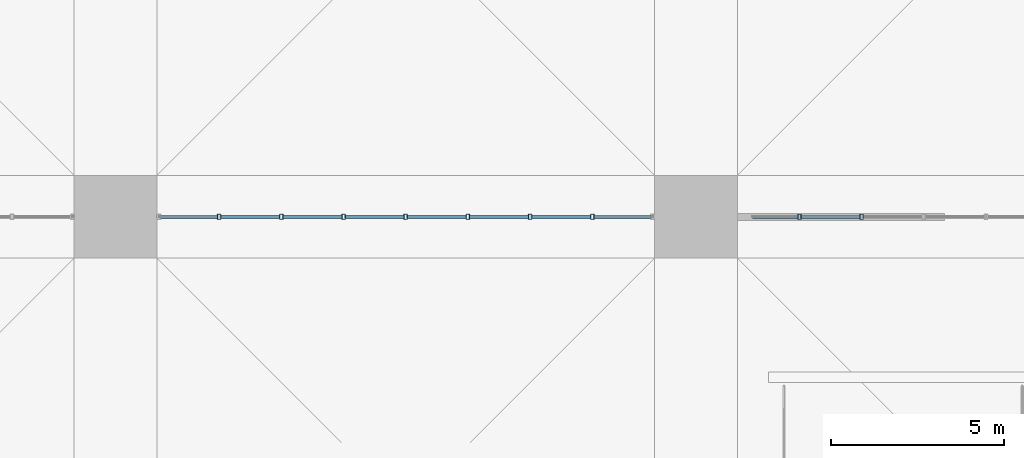
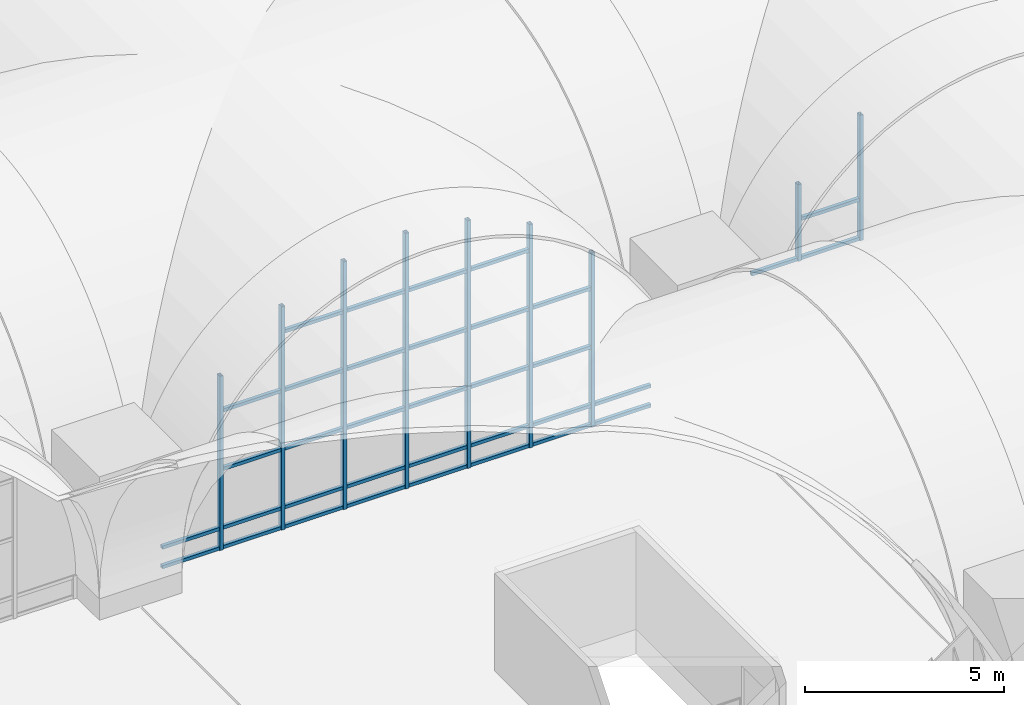
# One storey, part 33 of 169: 44 members, 2 elements without a shape of their own.
"""IFC4 building model written with IfcOpenShell, lengths in metres."""

from ifc_helpers import new_model, si_unit, direction, frame, origin, origin_2d, place, context, subcontext, project, spatial, hollow_rectangle, extrude, material, layer, layer_set, material_profile, profile_set, type_object, element, aggregate, save


model = new_model("IFC4")

# Units and contexts
model_context = context("Model", 3, precision=1e-05, world=origin(), true_north=direction((0.0, 1.0)))
body_context = subcontext(model_context, "Body", "Model", "MODEL_VIEW")
ifc_project = project(units=[si_unit("LENGTHUNIT", "METRE"), si_unit("AREAUNIT", "SQUARE_METRE"), si_unit("VOLUMEUNIT", "CUBIC_METRE"), si_unit("PLANEANGLEUNIT", "RADIAN"), si_unit("MASSUNIT", "GRAM", prefix="KILO")], contexts=[model_context])

# Site, building, storey
site_placement = place(None, origin())
site = spatial("IfcSite", under=ifc_project, at=site_placement, CompositionType="ELEMENT")
building_placement = place(site_placement, origin())
building = spatial("IfcBuilding", under=site, at=building_placement, Name="Verrick Yard Athletic Hall", CompositionType="ELEMENT")
storey_placement = place(building_placement, frame((0.0, 0.0, 4.39990234375)))
storey = spatial("IfcBuildingStorey", under=building, at=storey_placement, Name="L01", CompositionType="ELEMENT", Elevation=4.39990234375)

# Curtain wall, members
ifc_material_1 = material(Name="Aluminium and glass curtain wall", Category="aluminium")
ifc_layer_1 = layer(ifc_material_1, 0.14990234375)
ifc_layer_set_1 = layer_set([ifc_layer_1], Name="Concourse arch screen")
curtain_wall_type_1 = type_object("IfcCurtainWallType", Name="Concourse arch screen", PredefinedType="NOTDEFINED", material=ifc_layer_set_1)
curtain_wall_1_placement = place(storey_placement, origin())
curtain_wall_1 = element("IfcCurtainWall", 1, at=curtain_wall_1_placement, inside=storey, type_object=curtain_wall_type_1, Name="Concourse screen 3", PredefinedType="NOTDEFINED")
ifc_material_2 = material(Name="Structural steel HSS Class C 350W (CSA G40.20/G40.21)", Category="steel")
ifc_material_profile_1 = material_profile(ifc_material_2, hollow_rectangle(XDim=0.1015625, YDim=0.15234375, WallThickness=0.008056640625, at=origin_2d()), Name="HSS152x102x7.9")
ifc_profile_set_1 = profile_set([ifc_material_profile_1], Name="Structural steel HSS Class C 350W (CSA G40.20/G40.21)")
member_type_1 = type_object("IfcMemberType", Name="Curtain wall mullion HSS152x102x7.9", PredefinedType="MULLION", material=ifc_profile_set_1)
member_1_placement = place(storey_placement, frame((76.60009765625, 36.0, 0.0), z_axis=(0.0, 0.0, 1.0), x_axis=(1.0, 0.0, 0.0)))
member_1 = element("IfcMember", 2, at=member_1_placement, type_object=member_type_1, Name="Concourse screen 3 mullion 2", PredefinedType="MULLION", context=body_context, shape_type="SweptSolid", body=[
    extrude(hollow_rectangle(XDim=0.1015625, YDim=0.15234375, WallThickness=0.008056640625, at=origin_2d()), origin(), (0.0, 0.0, 1.0), 5.351806640625),
])
member_2_placement = place(storey_placement, frame((78.39990234375, 36.0, 0.0), z_axis=(0.0, 0.0, 1.0), x_axis=(1.0, 0.0, 0.0)))
member_2 = element("IfcMember", 3, at=member_2_placement, type_object=member_type_1, Name="Concourse screen 3 mullion 3", PredefinedType="MULLION", context=body_context, shape_type="SweptSolid", body=[
    extrude(hollow_rectangle(XDim=0.1015625, YDim=0.15234375, WallThickness=0.008056640625, at=origin_2d()), origin(), (0.0, 0.0, 1.0), 6.8544921875),
])
member_3_placement = place(storey_placement, frame((80.199951171875, 36.0, 0.0), z_axis=(0.0, 0.0, 1.0), x_axis=(1.0, 0.0, 0.0)))
member_3 = element("IfcMember", 4, at=member_3_placement, type_object=member_type_1, Name="Concourse screen 3 mullion 4", PredefinedType="MULLION", context=body_context, shape_type="SweptSolid", body=[
    extrude(hollow_rectangle(XDim=0.1015625, YDim=0.15234375, WallThickness=0.008056640625, at=origin_2d()), origin(), (0.0, 0.0, 1.0), 7.607666015625),
])
member_4_placement = place(storey_placement, frame((82.0, 36.0, 0.0), z_axis=(0.0, 0.0, 1.0), x_axis=(1.0, 0.0, 0.0)))
member_4 = element("IfcMember", 5, at=member_4_placement, type_object=member_type_1, Name="Concourse screen 3 mullion 5", PredefinedType="MULLION", context=body_context, shape_type="SweptSolid", body=[
    extrude(hollow_rectangle(XDim=0.1015625, YDim=0.15234375, WallThickness=0.008056640625, at=origin_2d()), origin(), (0.0, 0.0, 1.0), 7.8486328125),
])
member_5_placement = place(storey_placement, frame((83.800048828125, 36.0, 0.0), z_axis=(0.0, 0.0, 1.0), x_axis=(1.0, 0.0, 0.0)))
member_5 = element("IfcMember", 6, at=member_5_placement, type_object=member_type_1, Name="Concourse screen 3 mullion 6", PredefinedType="MULLION", context=body_context, shape_type="SweptSolid", body=[
    extrude(hollow_rectangle(XDim=0.1015625, YDim=0.15234375, WallThickness=0.008056640625, at=origin_2d()), origin(), (0.0, 0.0, 1.0), 7.607666015625),
])
member_6_placement = place(storey_placement, frame((85.60009765625, 36.0, 0.0), z_axis=(0.0, 0.0, 1.0), x_axis=(1.0, 0.0, 0.0)))
member_6 = element("IfcMember", 7, at=member_6_placement, type_object=member_type_1, Name="Concourse screen 3 mullion 7", PredefinedType="MULLION", context=body_context, shape_type="SweptSolid", body=[
    extrude(hollow_rectangle(XDim=0.1015625, YDim=0.15234375, WallThickness=0.008056640625, at=origin_2d()), origin(), (0.0, 0.0, 1.0), 6.8544921875),
])
member_7_placement = place(storey_placement, frame((87.39990234375, 36.0, 0.0), z_axis=(0.0, 0.0, 1.0), x_axis=(1.0, 0.0, 0.0)))
member_7 = element("IfcMember", 8, at=member_7_placement, type_object=member_type_1, Name="Concourse screen 3 mullion 8", PredefinedType="MULLION", context=body_context, shape_type="SweptSolid", body=[
    extrude(hollow_rectangle(XDim=0.1015625, YDim=0.15234375, WallThickness=0.008056640625, at=origin_2d()), origin(), (0.0, 0.0, 1.0), 5.351806640625),
])

ifc_layer_2 = layer(ifc_material_1, 0.14990234375)
ifc_layer_set_2 = layer_set([ifc_layer_2], Name="Concourse door screen arch")
curtain_wall_type_2 = type_object("IfcCurtainWallType", Name="Concourse door screen arch", PredefinedType="NOTDEFINED", material=ifc_layer_set_2)
curtain_wall_2_placement = place(storey_placement, origin())
curtain_wall_2 = element("IfcCurtainWall", 9, at=curtain_wall_2_placement, inside=storey, type_object=curtain_wall_type_2, Name="Concourse screen 4", PredefinedType="NOTDEFINED")
member_8_placement = place(storey_placement, frame((93.39990234375, 36.0, 3.0), z_axis=(0.0, 0.0, 1.0), x_axis=(1.0, 0.0, 0.0)))
member_8 = element("IfcMember", 10, at=member_8_placement, type_object=member_type_1, Name="Concourse screen 4 mullion 1", PredefinedType="MULLION", context=body_context, shape_type="SweptSolid", body=[
    extrude(hollow_rectangle(XDim=0.1015625, YDim=0.15234375, WallThickness=0.008056640625, at=origin_2d()), origin(), (0.0, 0.0, 1.0), 2.351806640625),
])
member_9_placement = place(storey_placement, frame((95.199951171875, 36.0, 3.0), z_axis=(0.0, 0.0, 1.0), x_axis=(1.0, 0.0, 0.0)))
member_9 = element("IfcMember", 11, at=member_9_placement, type_object=member_type_1, Name="Concourse screen 4 mullion 2", PredefinedType="MULLION", context=body_context, shape_type="SweptSolid", body=[
    extrude(hollow_rectangle(XDim=0.1015625, YDim=0.15234375, WallThickness=0.008056640625, at=origin_2d()), origin(), (0.0, 0.0, 1.0), 3.8544921875),
])

# Member
ifc_material_profile_2 = material_profile(ifc_material_2, hollow_rectangle(XDim=0.1015625, YDim=0.1015625, WallThickness=0.00634765625, at=origin_2d()), Name="HSS102x102x6.4")
ifc_profile_set_2 = profile_set([ifc_material_profile_2], Name="Structural steel HSS Class C 350W (CSA G40.20/G40.21)")
member_type_2 = type_object("IfcMemberType", Name="Curtain wall transom HSS102x102x6.4", PredefinedType="USERDEFINED", material=ifc_profile_set_2)
member_10_placement = place(storey_placement, frame((74.902099609375, 36.0, 0.05078125), z_axis=(1.0, 0.0, 0.0), x_axis=(0.0, 1.0, 0.0)))
member_10 = element("IfcMember", 12, at=member_10_placement, type_object=member_type_2, Name="Concourse screen 3 transom 1", ObjectType="TRANSOM", PredefinedType="USERDEFINED", context=body_context, shape_type="SweptSolid", body=[
    extrude(hollow_rectangle(XDim=0.1015625, YDim=0.1015625, WallThickness=0.00634765625, at=origin_2d()), origin(), (0.0, 0.0, 1.0), 1.647216796875),
])

member_11_placement = place(storey_placement, frame((74.902099609375, 36.0, 0.650146484375), z_axis=(1.0, 0.0, 0.0), x_axis=(0.0, 1.0, 0.0)))
member_11 = element("IfcMember", 13, at=member_11_placement, type_object=member_type_2, Name="Concourse screen 3 transom 2", ObjectType="TRANSOM", PredefinedType="USERDEFINED", context=body_context, shape_type="SweptSolid", body=[
    extrude(hollow_rectangle(XDim=0.1015625, YDim=0.1015625, WallThickness=0.00634765625, at=origin_2d()), origin(), (0.0, 0.0, 1.0), 1.647216796875),
])

member_12_placement = place(storey_placement, frame((76.65087890625, 36.0, 0.05078125), z_axis=(1.0, 0.0, 0.0), x_axis=(0.0, 1.0, 0.0)))
member_12 = element("IfcMember", 14, at=member_12_placement, type_object=member_type_2, Name="Concourse screen 3 transom 3", ObjectType="TRANSOM", PredefinedType="USERDEFINED", context=body_context, shape_type="SweptSolid", body=[
    extrude(hollow_rectangle(XDim=0.1015625, YDim=0.1015625, WallThickness=0.00634765625, at=origin_2d()), origin(), (0.0, 0.0, 1.0), 1.6982421875),
])

member_13_placement = place(storey_placement, frame((76.65087890625, 36.0, 0.650146484375), z_axis=(1.0, 0.0, 0.0), x_axis=(0.0, 1.0, 0.0)))
member_13 = element("IfcMember", 15, at=member_13_placement, type_object=member_type_2, Name="Concourse screen 3 transom 4", ObjectType="TRANSOM", PredefinedType="USERDEFINED", context=body_context, shape_type="SweptSolid", body=[
    extrude(hollow_rectangle(XDim=0.1015625, YDim=0.1015625, WallThickness=0.00634765625, at=origin_2d()), origin(), (0.0, 0.0, 1.0), 1.6982421875),
])

member_14_placement = place(storey_placement, frame((76.65087890625, 36.0, 2.4501953125), z_axis=(1.0, 0.0, 0.0), x_axis=(0.0, 1.0, 0.0)))
member_14 = element("IfcMember", 16, at=member_14_placement, type_object=member_type_2, Name="Concourse screen 3 transom 5", ObjectType="TRANSOM", PredefinedType="USERDEFINED", context=body_context, shape_type="SweptSolid", body=[
    extrude(hollow_rectangle(XDim=0.1015625, YDim=0.1015625, WallThickness=0.00634765625, at=origin_2d()), origin(), (0.0, 0.0, 1.0), 1.6982421875),
])

member_15_placement = place(storey_placement, frame((76.65087890625, 36.0, 4.25), z_axis=(1.0, 0.0, 0.0), x_axis=(0.0, 1.0, 0.0)))
member_15 = element("IfcMember", 17, at=member_15_placement, type_object=member_type_2, Name="Concourse screen 3 transom 6", ObjectType="TRANSOM", PredefinedType="USERDEFINED", context=body_context, shape_type="SweptSolid", body=[
    extrude(hollow_rectangle(XDim=0.1015625, YDim=0.1015625, WallThickness=0.00634765625, at=origin_2d()), origin(), (0.0, 0.0, 1.0), 1.6982421875),
])

member_16_placement = place(storey_placement, frame((78.45068359375, 36.0, 0.05078125), z_axis=(1.0, 0.0, 0.0), x_axis=(0.0, 1.0, 0.0)))
member_16 = element("IfcMember", 18, at=member_16_placement, type_object=member_type_2, Name="Concourse screen 3 transom 7", ObjectType="TRANSOM", PredefinedType="USERDEFINED", context=body_context, shape_type="SweptSolid", body=[
    extrude(hollow_rectangle(XDim=0.1015625, YDim=0.1015625, WallThickness=0.00634765625, at=origin_2d()), origin(), (0.0, 0.0, 1.0), 1.698486328125),
])

member_17_placement = place(storey_placement, frame((78.45068359375, 36.0, 0.650146484375), z_axis=(1.0, 0.0, 0.0), x_axis=(0.0, 1.0, 0.0)))
member_17 = element("IfcMember", 19, at=member_17_placement, type_object=member_type_2, Name="Concourse screen 3 transom 8", ObjectType="TRANSOM", PredefinedType="USERDEFINED", context=body_context, shape_type="SweptSolid", body=[
    extrude(hollow_rectangle(XDim=0.1015625, YDim=0.1015625, WallThickness=0.00634765625, at=origin_2d()), origin(), (0.0, 0.0, 1.0), 1.698486328125),
])

member_18_placement = place(storey_placement, frame((78.45068359375, 36.0, 2.4501953125), z_axis=(1.0, 0.0, 0.0), x_axis=(0.0, 1.0, 0.0)))
member_18 = element("IfcMember", 20, at=member_18_placement, type_object=member_type_2, Name="Concourse screen 3 transom 9", ObjectType="TRANSOM", PredefinedType="USERDEFINED", context=body_context, shape_type="SweptSolid", body=[
    extrude(hollow_rectangle(XDim=0.1015625, YDim=0.1015625, WallThickness=0.00634765625, at=origin_2d()), origin(), (0.0, 0.0, 1.0), 1.698486328125),
])

member_19_placement = place(storey_placement, frame((78.45068359375, 36.0, 4.25), z_axis=(1.0, 0.0, 0.0), x_axis=(0.0, 1.0, 0.0)))
member_19 = element("IfcMember", 21, at=member_19_placement, type_object=member_type_2, Name="Concourse screen 3 transom 10", ObjectType="TRANSOM", PredefinedType="USERDEFINED", context=body_context, shape_type="SweptSolid", body=[
    extrude(hollow_rectangle(XDim=0.1015625, YDim=0.1015625, WallThickness=0.00634765625, at=origin_2d()), origin(), (0.0, 0.0, 1.0), 1.698486328125),
])

member_20_placement = place(storey_placement, frame((78.45068359375, 36.0, 6.050048828125), z_axis=(1.0, 0.0, 0.0), x_axis=(0.0, 1.0, 0.0)))
member_20 = element("IfcMember", 22, at=member_20_placement, type_object=member_type_2, Name="Concourse screen 3 transom 11", ObjectType="TRANSOM", PredefinedType="USERDEFINED", context=body_context, shape_type="SweptSolid", body=[
    extrude(hollow_rectangle(XDim=0.1015625, YDim=0.1015625, WallThickness=0.00634765625, at=origin_2d()), origin(), (0.0, 0.0, 1.0), 1.698486328125),
])

member_21_placement = place(storey_placement, frame((80.250732421875, 36.0, 0.05078125), z_axis=(1.0, 0.0, 0.0), x_axis=(0.0, 1.0, 0.0)))
member_21 = element("IfcMember", 23, at=member_21_placement, type_object=member_type_2, Name="Concourse screen 3 transom 12", ObjectType="TRANSOM", PredefinedType="USERDEFINED", context=body_context, shape_type="SweptSolid", body=[
    extrude(hollow_rectangle(XDim=0.1015625, YDim=0.1015625, WallThickness=0.00634765625, at=origin_2d()), origin(), (0.0, 0.0, 1.0), 1.698486328125),
])

member_22_placement = place(storey_placement, frame((80.250732421875, 36.0, 0.650146484375), z_axis=(1.0, 0.0, 0.0), x_axis=(0.0, 1.0, 0.0)))
member_22 = element("IfcMember", 24, at=member_22_placement, type_object=member_type_2, Name="Concourse screen 3 transom 13", ObjectType="TRANSOM", PredefinedType="USERDEFINED", context=body_context, shape_type="SweptSolid", body=[
    extrude(hollow_rectangle(XDim=0.1015625, YDim=0.1015625, WallThickness=0.00634765625, at=origin_2d()), origin(), (0.0, 0.0, 1.0), 1.698486328125),
])

member_23_placement = place(storey_placement, frame((80.250732421875, 36.0, 2.4501953125), z_axis=(1.0, 0.0, 0.0), x_axis=(0.0, 1.0, 0.0)))
member_23 = element("IfcMember", 25, at=member_23_placement, type_object=member_type_2, Name="Concourse screen 3 transom 14", ObjectType="TRANSOM", PredefinedType="USERDEFINED", context=body_context, shape_type="SweptSolid", body=[
    extrude(hollow_rectangle(XDim=0.1015625, YDim=0.1015625, WallThickness=0.00634765625, at=origin_2d()), origin(), (0.0, 0.0, 1.0), 1.698486328125),
])

member_24_placement = place(storey_placement, frame((80.250732421875, 36.0, 4.25), z_axis=(1.0, 0.0, 0.0), x_axis=(0.0, 1.0, 0.0)))
member_24 = element("IfcMember", 26, at=member_24_placement, type_object=member_type_2, Name="Concourse screen 3 transom 15", ObjectType="TRANSOM", PredefinedType="USERDEFINED", context=body_context, shape_type="SweptSolid", body=[
    extrude(hollow_rectangle(XDim=0.1015625, YDim=0.1015625, WallThickness=0.00634765625, at=origin_2d()), origin(), (0.0, 0.0, 1.0), 1.698486328125),
])

member_25_placement = place(storey_placement, frame((80.250732421875, 36.0, 6.050048828125), z_axis=(1.0, 0.0, 0.0), x_axis=(0.0, 1.0, 0.0)))
member_25 = element("IfcMember", 27, at=member_25_placement, type_object=member_type_2, Name="Concourse screen 3 transom 16", ObjectType="TRANSOM", PredefinedType="USERDEFINED", context=body_context, shape_type="SweptSolid", body=[
    extrude(hollow_rectangle(XDim=0.1015625, YDim=0.1015625, WallThickness=0.00634765625, at=origin_2d()), origin(), (0.0, 0.0, 1.0), 1.698486328125),
])

member_26_placement = place(storey_placement, frame((82.05078125, 36.0, 0.05078125), z_axis=(1.0, 0.0, 0.0), x_axis=(0.0, 1.0, 0.0)))
member_26 = element("IfcMember", 28, at=member_26_placement, type_object=member_type_2, Name="Concourse screen 3 transom 17", ObjectType="TRANSOM", PredefinedType="USERDEFINED", context=body_context, shape_type="SweptSolid", body=[
    extrude(hollow_rectangle(XDim=0.1015625, YDim=0.1015625, WallThickness=0.00634765625, at=origin_2d()), origin(), (0.0, 0.0, 1.0), 1.698486328125),
])

member_27_placement = place(storey_placement, frame((82.05078125, 36.0, 0.650146484375), z_axis=(1.0, 0.0, 0.0), x_axis=(0.0, 1.0, 0.0)))
member_27 = element("IfcMember", 29, at=member_27_placement, type_object=member_type_2, Name="Concourse screen 3 transom 18", ObjectType="TRANSOM", PredefinedType="USERDEFINED", context=body_context, shape_type="SweptSolid", body=[
    extrude(hollow_rectangle(XDim=0.1015625, YDim=0.1015625, WallThickness=0.00634765625, at=origin_2d()), origin(), (0.0, 0.0, 1.0), 1.698486328125),
])

member_28_placement = place(storey_placement, frame((82.05078125, 36.0, 2.4501953125), z_axis=(1.0, 0.0, 0.0), x_axis=(0.0, 1.0, 0.0)))
member_28 = element("IfcMember", 30, at=member_28_placement, type_object=member_type_2, Name="Concourse screen 3 transom 19", ObjectType="TRANSOM", PredefinedType="USERDEFINED", context=body_context, shape_type="SweptSolid", body=[
    extrude(hollow_rectangle(XDim=0.1015625, YDim=0.1015625, WallThickness=0.00634765625, at=origin_2d()), origin(), (0.0, 0.0, 1.0), 1.698486328125),
])

member_29_placement = place(storey_placement, frame((82.05078125, 36.0, 4.25), z_axis=(1.0, 0.0, 0.0), x_axis=(0.0, 1.0, 0.0)))
member_29 = element("IfcMember", 31, at=member_29_placement, type_object=member_type_2, Name="Concourse screen 3 transom 20", ObjectType="TRANSOM", PredefinedType="USERDEFINED", context=body_context, shape_type="SweptSolid", body=[
    extrude(hollow_rectangle(XDim=0.1015625, YDim=0.1015625, WallThickness=0.00634765625, at=origin_2d()), origin(), (0.0, 0.0, 1.0), 1.698486328125),
])

member_30_placement = place(storey_placement, frame((82.05078125, 36.0, 6.050048828125), z_axis=(1.0, 0.0, 0.0), x_axis=(0.0, 1.0, 0.0)))
member_30 = element("IfcMember", 32, at=member_30_placement, type_object=member_type_2, Name="Concourse screen 3 transom 21", ObjectType="TRANSOM", PredefinedType="USERDEFINED", context=body_context, shape_type="SweptSolid", body=[
    extrude(hollow_rectangle(XDim=0.1015625, YDim=0.1015625, WallThickness=0.00634765625, at=origin_2d()), origin(), (0.0, 0.0, 1.0), 1.698486328125),
])

member_31_placement = place(storey_placement, frame((83.850830078125, 36.0, 0.05078125), z_axis=(1.0, 0.0, 0.0), x_axis=(0.0, 1.0, 0.0)))
member_31 = element("IfcMember", 33, at=member_31_placement, type_object=member_type_2, Name="Concourse screen 3 transom 22", ObjectType="TRANSOM", PredefinedType="USERDEFINED", context=body_context, shape_type="SweptSolid", body=[
    extrude(hollow_rectangle(XDim=0.1015625, YDim=0.1015625, WallThickness=0.00634765625, at=origin_2d()), origin(), (0.0, 0.0, 1.0), 1.698486328125),
])

member_32_placement = place(storey_placement, frame((83.850830078125, 36.0, 0.650146484375), z_axis=(1.0, 0.0, 0.0), x_axis=(0.0, 1.0, 0.0)))
member_32 = element("IfcMember", 34, at=member_32_placement, type_object=member_type_2, Name="Concourse screen 3 transom 23", ObjectType="TRANSOM", PredefinedType="USERDEFINED", context=body_context, shape_type="SweptSolid", body=[
    extrude(hollow_rectangle(XDim=0.1015625, YDim=0.1015625, WallThickness=0.00634765625, at=origin_2d()), origin(), (0.0, 0.0, 1.0), 1.698486328125),
])

member_33_placement = place(storey_placement, frame((83.850830078125, 36.0, 2.4501953125), z_axis=(1.0, 0.0, 0.0), x_axis=(0.0, 1.0, 0.0)))
member_33 = element("IfcMember", 35, at=member_33_placement, type_object=member_type_2, Name="Concourse screen 3 transom 24", ObjectType="TRANSOM", PredefinedType="USERDEFINED", context=body_context, shape_type="SweptSolid", body=[
    extrude(hollow_rectangle(XDim=0.1015625, YDim=0.1015625, WallThickness=0.00634765625, at=origin_2d()), origin(), (0.0, 0.0, 1.0), 1.698486328125),
])

member_34_placement = place(storey_placement, frame((83.850830078125, 36.0, 4.25), z_axis=(1.0, 0.0, 0.0), x_axis=(0.0, 1.0, 0.0)))
member_34 = element("IfcMember", 36, at=member_34_placement, type_object=member_type_2, Name="Concourse screen 3 transom 25", ObjectType="TRANSOM", PredefinedType="USERDEFINED", context=body_context, shape_type="SweptSolid", body=[
    extrude(hollow_rectangle(XDim=0.1015625, YDim=0.1015625, WallThickness=0.00634765625, at=origin_2d()), origin(), (0.0, 0.0, 1.0), 1.698486328125),
])

member_35_placement = place(storey_placement, frame((83.850830078125, 36.0, 6.050048828125), z_axis=(1.0, 0.0, 0.0), x_axis=(0.0, 1.0, 0.0)))
member_35 = element("IfcMember", 37, at=member_35_placement, type_object=member_type_2, Name="Concourse screen 3 transom 26", ObjectType="TRANSOM", PredefinedType="USERDEFINED", context=body_context, shape_type="SweptSolid", body=[
    extrude(hollow_rectangle(XDim=0.1015625, YDim=0.1015625, WallThickness=0.00634765625, at=origin_2d()), origin(), (0.0, 0.0, 1.0), 1.698486328125),
])

member_36_placement = place(storey_placement, frame((85.65087890625, 36.0, 0.05078125), z_axis=(1.0, 0.0, 0.0), x_axis=(0.0, 1.0, 0.0)))
member_36 = element("IfcMember", 38, at=member_36_placement, type_object=member_type_2, Name="Concourse screen 3 transom 27", ObjectType="TRANSOM", PredefinedType="USERDEFINED", context=body_context, shape_type="SweptSolid", body=[
    extrude(hollow_rectangle(XDim=0.1015625, YDim=0.1015625, WallThickness=0.00634765625, at=origin_2d()), origin(), (0.0, 0.0, 1.0), 1.6982421875),
])

member_37_placement = place(storey_placement, frame((85.65087890625, 36.0, 0.650146484375), z_axis=(1.0, 0.0, 0.0), x_axis=(0.0, 1.0, 0.0)))
member_37 = element("IfcMember", 39, at=member_37_placement, type_object=member_type_2, Name="Concourse screen 3 transom 28", ObjectType="TRANSOM", PredefinedType="USERDEFINED", context=body_context, shape_type="SweptSolid", body=[
    extrude(hollow_rectangle(XDim=0.1015625, YDim=0.1015625, WallThickness=0.00634765625, at=origin_2d()), origin(), (0.0, 0.0, 1.0), 1.6982421875),
])

member_38_placement = place(storey_placement, frame((85.65087890625, 36.0, 2.4501953125), z_axis=(1.0, 0.0, 0.0), x_axis=(0.0, 1.0, 0.0)))
member_38 = element("IfcMember", 40, at=member_38_placement, type_object=member_type_2, Name="Concourse screen 3 transom 29", ObjectType="TRANSOM", PredefinedType="USERDEFINED", context=body_context, shape_type="SweptSolid", body=[
    extrude(hollow_rectangle(XDim=0.1015625, YDim=0.1015625, WallThickness=0.00634765625, at=origin_2d()), origin(), (0.0, 0.0, 1.0), 1.6982421875),
])

member_39_placement = place(storey_placement, frame((85.65087890625, 36.0, 4.25), z_axis=(1.0, 0.0, 0.0), x_axis=(0.0, 1.0, 0.0)))
member_39 = element("IfcMember", 41, at=member_39_placement, type_object=member_type_2, Name="Concourse screen 3 transom 30", ObjectType="TRANSOM", PredefinedType="USERDEFINED", context=body_context, shape_type="SweptSolid", body=[
    extrude(hollow_rectangle(XDim=0.1015625, YDim=0.1015625, WallThickness=0.00634765625, at=origin_2d()), origin(), (0.0, 0.0, 1.0), 1.6982421875),
])

member_40_placement = place(storey_placement, frame((87.45068359375, 36.0, 0.05078125), z_axis=(1.0, 0.0, 0.0), x_axis=(0.0, 1.0, 0.0)))
member_40 = element("IfcMember", 42, at=member_40_placement, type_object=member_type_2, Name="Concourse screen 3 transom 31", ObjectType="TRANSOM", PredefinedType="USERDEFINED", context=body_context, shape_type="SweptSolid", body=[
    extrude(hollow_rectangle(XDim=0.1015625, YDim=0.1015625, WallThickness=0.00634765625, at=origin_2d()), origin(), (0.0, 0.0, 1.0), 1.647216796875),
])

member_41_placement = place(storey_placement, frame((87.45068359375, 36.0, 0.650146484375), z_axis=(1.0, 0.0, 0.0), x_axis=(0.0, 1.0, 0.0)))
member_41 = element("IfcMember", 43, at=member_41_placement, type_object=member_type_2, Name="Concourse screen 3 transom 32", ObjectType="TRANSOM", PredefinedType="USERDEFINED", context=body_context, shape_type="SweptSolid", body=[
    extrude(hollow_rectangle(XDim=0.1015625, YDim=0.1015625, WallThickness=0.00634765625, at=origin_2d()), origin(), (0.0, 0.0, 1.0), 1.647216796875),
])

aggregate(curtain_wall_1, [member_1, member_2, member_3, member_4, member_5, member_6, member_7, member_10, member_11, member_12, member_13, member_14, member_15, member_16, member_17, member_18, member_19, member_20, member_21, member_22, member_23, member_24, member_25, member_26, member_27, member_28, member_29, member_30, member_31, member_32, member_33, member_34, member_35, member_36, member_37, member_38, member_39, member_40, member_41])

member_42_placement = place(storey_placement, frame((92.032470703125, 36.0, 3.05078125), z_axis=(1.0, 0.0, 0.0), x_axis=(0.0, 1.0, 0.0)))
member_42 = element("IfcMember", 44, at=member_42_placement, type_object=member_type_2, Name="Concourse screen 4 transom 1", ObjectType="TRANSOM", PredefinedType="USERDEFINED", context=body_context, shape_type="SweptSolid", body=[
    extrude(hollow_rectangle(XDim=0.1015625, YDim=0.1015625, WallThickness=0.00634765625, at=origin_2d()), origin(), (0.0, 0.0, 1.0), 1.316650390625),
])

member_43_placement = place(storey_placement, frame((93.45068359375, 36.0, 3.05078125), z_axis=(1.0, 0.0, 0.0), x_axis=(0.0, 1.0, 0.0)))
member_43 = element("IfcMember", 45, at=member_43_placement, type_object=member_type_2, Name="Concourse screen 4 transom 2", ObjectType="TRANSOM", PredefinedType="USERDEFINED", context=body_context, shape_type="SweptSolid", body=[
    extrude(hollow_rectangle(XDim=0.1015625, YDim=0.1015625, WallThickness=0.00634765625, at=origin_2d()), origin(), (0.0, 0.0, 1.0), 1.698486328125),
])

member_44_placement = place(storey_placement, frame((93.45068359375, 36.0, 4.25), z_axis=(1.0, 0.0, 0.0), x_axis=(0.0, 1.0, 0.0)))
member_44 = element("IfcMember", 46, at=member_44_placement, type_object=member_type_2, Name="Concourse screen 4 transom 3", ObjectType="TRANSOM", PredefinedType="USERDEFINED", context=body_context, shape_type="SweptSolid", body=[
    extrude(hollow_rectangle(XDim=0.1015625, YDim=0.1015625, WallThickness=0.00634765625, at=origin_2d()), origin(), (0.0, 0.0, 1.0), 1.698486328125),
])

aggregate(curtain_wall_2, [member_8, member_9, member_42, member_43, member_44])

save(model, "model.ifc")
